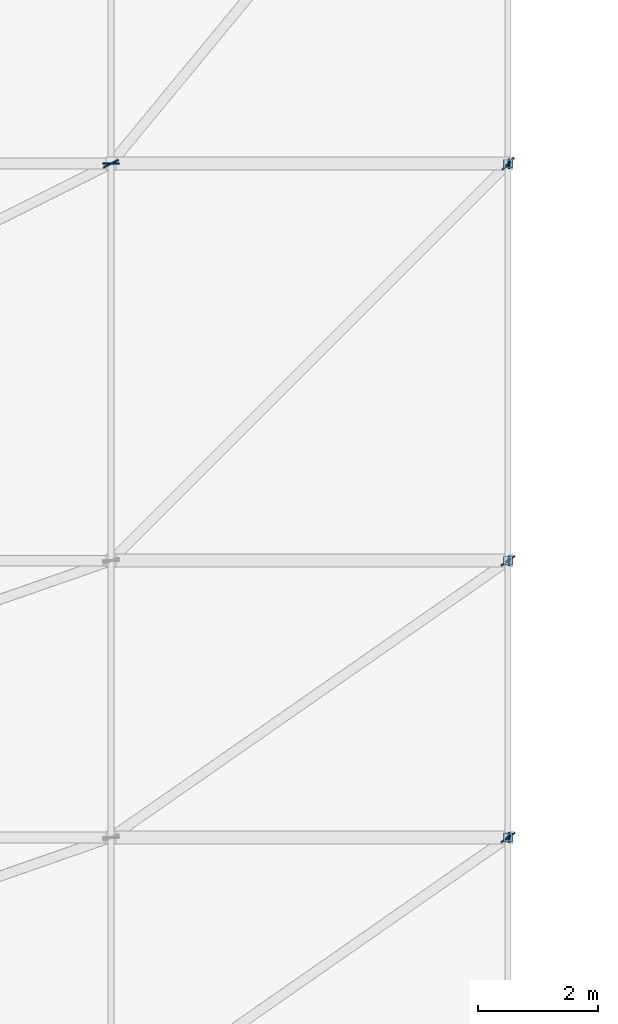
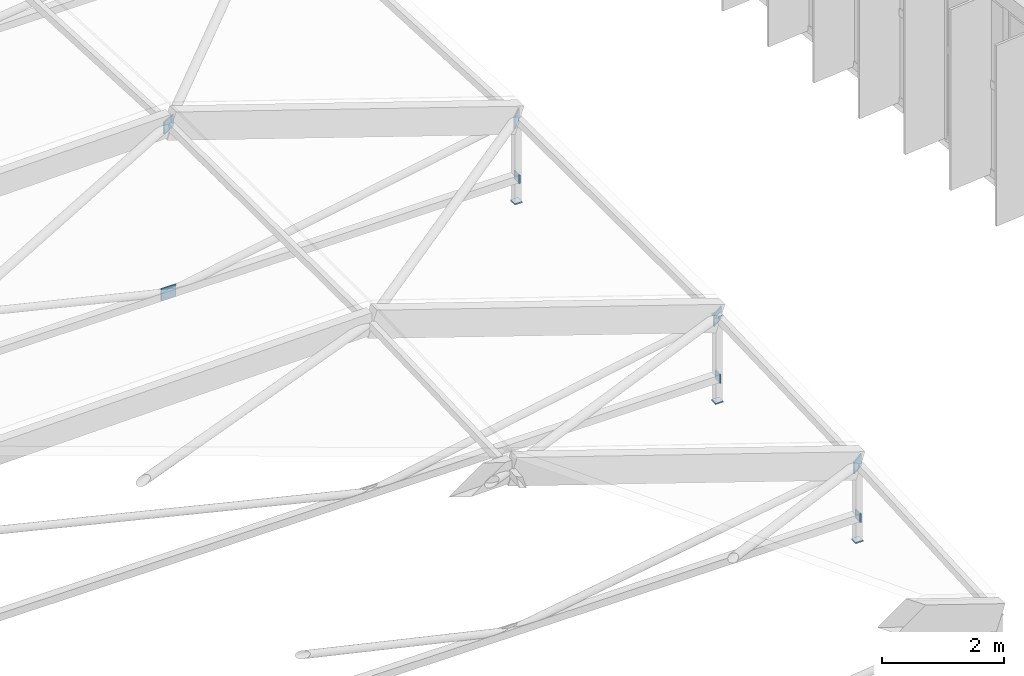
# One storey, part 105 of 134: 12 plates.
"""IFC4 building model written with IfcOpenShell, lengths in metres."""

from ifc_helpers import new_model, si_unit, direction, frame, origin, origin_2d, place, context, subcontext, project, spatial, rectangle, extrude, material, layer, layer_set, type_object, element, save


model = new_model("IFC4")

# Units and contexts
model_context = context("Model", 3, precision=1e-05, world=origin(), true_north=direction((0.0, 1.0)))
body_context = subcontext(model_context, "Body", "Model", "MODEL_VIEW")
ifc_project = project(units=[si_unit("LENGTHUNIT", "METRE"), si_unit("AREAUNIT", "SQUARE_METRE"), si_unit("VOLUMEUNIT", "CUBIC_METRE"), si_unit("PLANEANGLEUNIT", "RADIAN"), si_unit("MASSUNIT", "GRAM", prefix="KILO")], contexts=[model_context])

# Site, building, storey
site_placement = place(None, origin())
site = spatial("IfcSite", under=ifc_project, at=site_placement, CompositionType="ELEMENT")
building_placement = place(site_placement, origin())
building = spatial("IfcBuilding", under=site, at=building_placement, Name="Karori Crest Natural Sciences Institute", CompositionType="ELEMENT")
storey_placement = place(building_placement, frame((0.0, 0.0, 21.699951171875)))
storey = spatial("IfcBuildingStorey", under=building, at=storey_placement, Name="L05", CompositionType="ELEMENT", Elevation=21.699951171875)

# Plates
ifc_material = material(Name="Structural steel AS/NZS 3679.1 Grade 350", Category="steel")
ifc_layer_1 = layer(ifc_material, 0.02490234375, Name="Structural steel AS/NZS 3679.1 Grade 350")
ifc_layer_set_1 = layer_set([ifc_layer_1], Name="Structural steel AS/NZS 3679.1 Grade 350")
plate_type_1 = type_object("IfcPlateType", Name="PLT-06", PredefinedType="SHEET", material=ifc_layer_set_1)
for number, where, z_axis, x_axis, name in (
    (1, (27.21240234375, 35.800048828125, 0.03515625), (0.0, 0.0, 1.0), (1.0, 0.0, 0.0), "Hollow section end cap EP-0327"),
    (2, (27.21240234375, 40.39990234375, 0.03515625), (0.0, 0.0, 1.0), (1.0, 0.0, 0.0), "Hollow section end cap EP-0337"),
    (3, (27.21240234375, 47.0, 0.03515625), (0.0, 0.0, 1.0), (1.0, 0.0, 0.0), "Hollow section end cap EP-0347"),
):
    element("IfcPlate", number, at=place(storey_placement, frame(where, z_axis=z_axis, x_axis=x_axis)), inside=storey, type_object=plate_type_1, Name=name, PredefinedType="SHEET", context=body_context, shape_type="SweptSolid", body=[
        extrude(rectangle(XDim=0.02490234375, YDim=0.169921875, at=origin_2d()), origin(), (0.0, 0.0, 1.0), 0.169921875),
    ])
plate_1_placement = place(storey_placement, frame((20.60009765625, 47.0, 0.0), z_axis=(0.0, 0.0, 1.0), x_axis=(1.0, 0.0, 0.0)))
element("IfcPlate", 4, at=plate_1_placement, inside=storey, type_object=plate_type_1, Name="Brace gusset plate EP-0349", PredefinedType="SHEET", context=body_context, shape_type="SweptSolid", body=[
    extrude(rectangle(XDim=0.280029296875, YDim=0.02490234375, at=origin_2d()), origin(), (0.0, 0.0, 1.0), 0.239990234375),
])
ifc_layer_2 = layer(ifc_material, 0.02490234375, Name="Structural steel AS/NZS 3679.1 Grade 350")
ifc_layer_set_2 = layer_set([ifc_layer_2], Name="Structural steel AS/NZS 3679.1 Grade 350")
plate_type_2 = type_object("IfcPlateType", Name="PLT-06-EL", PredefinedType="SHEET", material=ifc_layer_set_2)
plate_2_placement = place(storey_placement, frame((27.199951171875, 35.800048828125, 1.046875), z_axis=(0.0, 0.0, 1.0), x_axis=(0.82039844964, 0.571792255832, 0.0)))
element("IfcPlate", 5, at=plate_2_placement, inside=storey, type_object=plate_type_2, Name="Brace gusset plate EP-0322", PredefinedType="SHEET", context=body_context, shape_type="SweptSolid", body=[
    extrude(rectangle(XDim=0.280029296875, YDim=0.02490234375, at=origin_2d()), origin(), (0.0, 0.0, 1.0), 0.239990234375),
])
plate_3_placement = place(storey_placement, frame((27.199951171875, 35.800048828125, -0.375), z_axis=(0.0, 0.0, 1.0), x_axis=(1.0, 0.0, 0.0)))
element("IfcPlate", 6, at=plate_3_placement, inside=storey, type_object=plate_type_2, Name="Hollow section end cap EP-0325", PredefinedType="SHEET", context=body_context, shape_type="SweptSolid", body=[
    extrude(rectangle(XDim=0.14501953125, YDim=0.14501953125, at=origin_2d()), origin(), (0.0, 0.0, 1.0), 0.02490234375),
])
plate_4_placement = place(storey_placement, frame((27.199951171875, 40.39990234375, 1.2119140625), z_axis=(0.0, 0.0, 1.0), x_axis=(0.82039844964, 0.571792255832, 0.0)))
element("IfcPlate", 7, at=plate_4_placement, inside=storey, type_object=plate_type_2, Name="Brace gusset plate EP-0331", PredefinedType="SHEET", context=body_context, shape_type="SweptSolid", body=[
    extrude(rectangle(XDim=0.280029296875, YDim=0.02490234375, at=origin_2d()), origin(), (0.0, 0.0, 1.0), 0.239990234375),
])
for number, where, z_axis, x_axis, name in (
    (8, (27.199951171875, 40.39990234375, -0.375), (0.0, 0.0, 1.0), (1.0, 0.0, 0.0), "Hollow section end cap EP-0334"),
    (9, (27.199951171875, 40.39990234375, 1.351806640625), (0.0, 0.0, 1.0), (1.0, 0.0, 0.0), "Hollow section end cap EP-0335"),
):
    element("IfcPlate", number, at=place(storey_placement, frame(where, z_axis=z_axis, x_axis=x_axis)), inside=storey, type_object=plate_type_2, Name=name, PredefinedType="SHEET", context=body_context, shape_type="SweptSolid", body=[
        extrude(rectangle(XDim=0.14501953125, YDim=0.14501953125, at=origin_2d()), origin(), (0.0, 0.0, 1.0), 0.02490234375),
    ])
for number, where, z_axis, x_axis, name in (
    (10, (20.60009765625, 47.0, 3.3740234375), (0.0, 0.0, 1.0), (0.89442680992, 0.44721435766, 0.0), "Brace gusset plate EP-0341"),
    (11, (27.199951171875, 47.0, 1.181640625), (0.0, 0.0, 1.0), (0.707106781187, 0.707106781187, 0.0), "Brace gusset plate EP-0342"),
):
    element("IfcPlate", number, at=place(storey_placement, frame(where, z_axis=z_axis, x_axis=x_axis)), inside=storey, type_object=plate_type_2, Name=name, PredefinedType="SHEET", context=body_context, shape_type="SweptSolid", body=[
        extrude(rectangle(XDim=0.280029296875, YDim=0.02490234375, at=origin_2d()), origin(), (0.0, 0.0, 1.0), 0.239990234375),
    ])
plate_5_placement = place(storey_placement, frame((27.199951171875, 47.0, -0.375), z_axis=(0.0, 0.0, 1.0), x_axis=(1.0, 0.0, 0.0)))
element("IfcPlate", 12, at=plate_5_placement, inside=storey, type_object=plate_type_2, Name="Hollow section end cap EP-0345", PredefinedType="SHEET", context=body_context, shape_type="SweptSolid", body=[
    extrude(rectangle(XDim=0.14501953125, YDim=0.14501953125, at=origin_2d()), origin(), (0.0, 0.0, 1.0), 0.02490234375),
])

save(model, "model.ifc")
